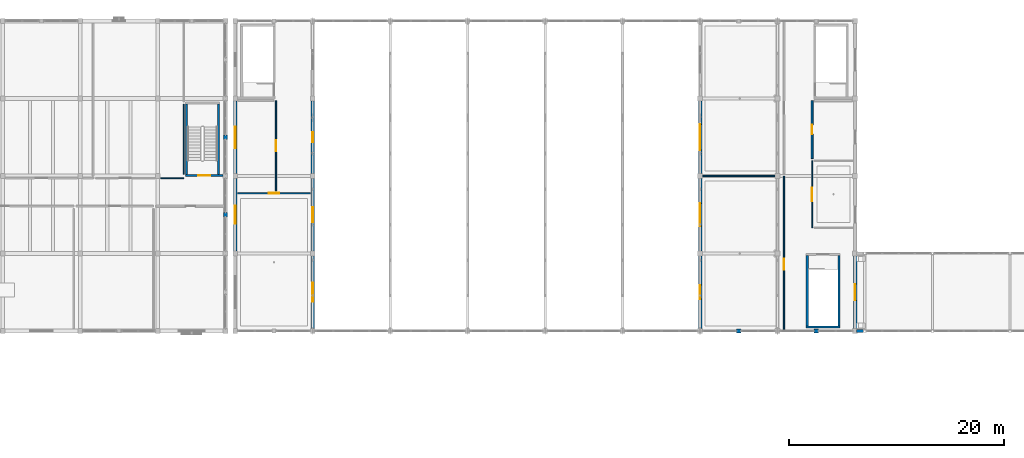
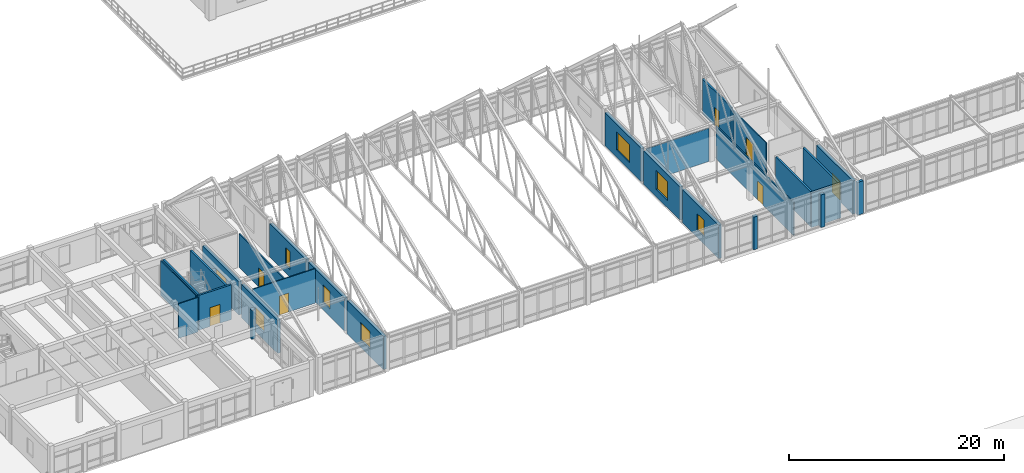
# One storey, part 111 of 136: 28 walls, 8 windows, 7 doors, 15 openings.
"""IFC4 building model written with IfcOpenShell, lengths in metres."""

import ifcopenshell
import ifcopenshell.guid

model = None  # the IFC model being written
_history = None  # IfcOwnerHistory: only IFC2X3 demands one
_inside = {}  # id of a spatial element -> (the spatial element, [elements in it])
_under = {}  # id of a project, library or spatial element -> (it, [spatial elements below it])
_declared = {}  # id of a project -> (the project, [libraries it declares])
_typed = {}  # id of a type object -> (the type object, [elements of that type])
_made_of = {}  # id of a material, layer set ... -> (it, [elements and type objects made of it])


def new_model(schema):
    """Start an empty IFC model of exactly this schema.

    Asked for "IFC4X3", IfcOpenShell would pick the latest addendum, in which some entities
    have other attributes; the version numbers below select the first issue.
    IFC2X3 requires an IfcOwnerHistory on every rooted entity: one is made here for all.
    """
    global model, _history
    if schema == "IFC4X3":
        model = ifcopenshell.file(schema_version=(4, 3, 0, 0))
    else:
        model = ifcopenshell.file(schema=schema)
    _inside.clear()
    _under.clear()
    _declared.clear()
    _typed.clear()
    _made_of.clear()
    _history = None
    if model.schema == "IFC2X3":
        org = make("IfcOrganization", Name="unknown")
        user = make(
            "IfcPersonAndOrganization",
            ThePerson=make("IfcPerson", FamilyName="unknown"),
            TheOrganization=org,
        )
        app = make(
            "IfcApplication",
            ApplicationDeveloper=org,
            Version="unknown",
            ApplicationFullName="unknown",
            ApplicationIdentifier="unknown",
        )
        _history = make(
            "IfcOwnerHistory",
            OwningUser=user,
            OwningApplication=app,
            ChangeAction="ADDED",
            CreationDate=0,
        )
    return model


def make(cls, **values):
    """One entity of the class cls with the attributes given. An attribute that is None is left unset."""
    return model.create_entity(
        cls, **{name: value for name, value in values.items() if value is not None}
    )


def rooted(cls, **values):
    """An entity with a GlobalId (a new one), such as an element, a storey or a relation."""
    return make(cls, GlobalId=ifcopenshell.guid.new(), OwnerHistory=_history, **values)


def si_unit(unit_type, name, prefix=None):
    """IfcSIUnit, for example si_unit("LENGTHUNIT", "METRE", prefix="MILLI")."""
    return make("IfcSIUnit", UnitType=unit_type, Prefix=prefix, Name=name)


def assignment(units):
    """IfcUnitAssignment: the units of a project."""
    return None if units is None else make("IfcUnitAssignment", Units=units)


def point(xyz):
    """IfcCartesianPoint."""
    return None if xyz is None else make("IfcCartesianPoint", Coordinates=xyz)


def direction(xyz):
    """IfcDirection."""
    return None if xyz is None else make("IfcDirection", DirectionRatios=xyz)


def frame(location, z_axis=None, x_axis=None):
    """IfcAxis2Placement3D, a coordinate frame: its origin and axes. An axis left out is left unset."""
    return make(
        "IfcAxis2Placement3D",
        Location=point(location),
        Axis=direction(z_axis),
        RefDirection=direction(x_axis),
    )


def frame_2d(location, x_axis=None):
    """IfcAxis2Placement2D, a coordinate frame in the plane: its origin and x axis."""
    return make(
        "IfcAxis2Placement2D", Location=point(location), RefDirection=direction(x_axis)
    )


def origin():
    """The frame at (0, 0, 0) with its axes left unset."""
    return frame((0.0, 0.0, 0.0))


def place(relative_to, where):
    """IfcLocalPlacement: puts the frame where relative to a parent placement (None: the world)."""
    return make(
        "IfcLocalPlacement", PlacementRelTo=relative_to, RelativePlacement=where
    )


def context(
    kind, dimensions, precision=None, world=None, true_north=None, identifier=None
):
    """IfcGeometricRepresentationContext, for example the 3D "Model" context."""
    return make(
        "IfcGeometricRepresentationContext",
        ContextIdentifier=identifier,
        ContextType=kind,
        CoordinateSpaceDimension=dimensions,
        Precision=precision,
        WorldCoordinateSystem=world,
        TrueNorth=true_north,
    )


def subcontext(parent, identifier, kind, view, scale=None):
    """IfcGeometricRepresentationSubContext, for example "Body" below "Model"."""
    return make(
        "IfcGeometricRepresentationSubContext",
        ContextIdentifier=identifier,
        ContextType=kind,
        ParentContext=parent,
        TargetScale=scale,
        TargetView=view,
    )


def project(units=None, contexts=None):
    """IfcProject with its units and contexts."""
    return rooted(
        "IfcProject",
        Name="project",
        RepresentationContexts=contexts,
        UnitsInContext=assignment(units),
    )


def spatial(cls, under=None, at=None, **own):
    """A site, building, storey or space (cls), placed at a placement, below another one or the project."""
    s = rooted(cls, ObjectPlacement=at, **own)
    if under is not None:
        _under.setdefault(under.id(), (under, []))[1].append(s)
    return s


def profile(cls, at=None, kind="AREA", **sizes):
    """A parametric profile (cls). Its sizes go by their IFC names, for example OverallWidth=200.0."""
    return make(cls, ProfileType=kind, Position=at, **sizes)


def rectangle(**sizes):
    """IfcRectangleProfileDef."""
    return profile("IfcRectangleProfileDef", **sizes)


def extrude(swept, where, along, depth):
    """IfcExtrudedAreaSolid: the profile swept, set in the frame where, extruded along a direction by depth."""
    return make(
        "IfcExtrudedAreaSolid",
        SweptArea=swept,
        Position=where,
        ExtrudedDirection=direction(along),
        Depth=depth,
    )


def shape(context_of_items, identifier, shape_type, items):
    """IfcShapeRepresentation: the items that make up one representation, for example the "Body"."""
    return make(
        "IfcShapeRepresentation",
        ContextOfItems=context_of_items,
        RepresentationIdentifier=identifier,
        RepresentationType=shape_type,
        Items=items,
    )


def material(Name=None, Category=None):
    """IfcMaterial."""
    return make("IfcMaterial", Name=Name, Category=Category)


def layer(
    of_material, thickness, ventilated=None, Name=None, Category=None, Priority=None
):
    """IfcMaterialLayer: one layer of a wall or slab, of a material (None: an air gap)."""
    return make(
        "IfcMaterialLayer",
        Material=of_material,
        LayerThickness=thickness,
        IsVentilated=ventilated,
        Name=Name,
        Category=Category,
        Priority=Priority,
    )


def layer_set(layers, Name=None):
    """IfcMaterialLayerSet."""
    return make("IfcMaterialLayerSet", MaterialLayers=layers, LayerSetName=Name)


def made_of(thing, what):
    """Note that an element or type object is made of a material, layer set ...; save() writes the relation."""
    if what is not None:
        _made_of.setdefault(what.id(), (what, []))[1].append(thing)
    return thing


def type_object(cls, material=None, **own):
    """A type object (cls), such as IfcWallType, which elements share."""
    return made_of(rooted(cls, **own), material)


def element(
    cls,
    number,
    at=None,
    inside=None,
    cuts=None,
    type_object=None,
    material=None,
    context=None,
    identifier="Body",
    shape_type=None,
    held_by="IfcProductDefinitionShape",
    body=None,
    shapes=None,
    **own,
):
    """One element of the class cls, such as IfcWall. Its Tag is "e" and its number.

    at: its placement. inside: the storey or other place that contains it. cuts: it is an
    opening in that element (IfcRelVoidsElement). A single representation is given by context,
    identifier, shape_type and body (its items); several are given by shapes. held_by: the class
    of the entity that holds the representations. save() writes the other relations.
    """
    e = rooted(cls, Tag="e%d" % number, ObjectPlacement=at, **own)
    if body is not None:
        shapes = [shape(context, identifier, shape_type, body)]
    if shapes is not None:
        e.Representation = make(held_by, Representations=shapes)
    if inside is not None:
        _inside.setdefault(inside.id(), (inside, []))[1].append(e)
    if cuts is not None:
        rooted(
            "IfcRelVoidsElement", RelatingBuildingElement=cuts, RelatedOpeningElement=e
        )
    if type_object is not None:
        _typed.setdefault(type_object.id(), (type_object, []))[1].append(e)
    return made_of(e, material)


def fill(opening, filler):
    """IfcRelFillsElement: the door or window that sits in an opening."""
    return rooted(
        "IfcRelFillsElement",
        RelatingOpeningElement=opening,
        RelatedBuildingElement=filler,
    )


def aggregate(whole, parts):
    """IfcRelAggregates: a whole, such as a stair, and the parts it consists of."""
    return rooted("IfcRelAggregates", RelatingObject=whole, RelatedObjects=parts)


def save(model, path):
    """Write the relations noted so far, then the file.

    IfcRelAggregates (storeys below a building ...), IfcRelContainedInSpatialStructure (elements
    in a storey), IfcRelDefinesByType, IfcRelAssociatesMaterial and IfcRelDeclares: one each for
    every whole, place, type object, material and project.
    """
    for whole, parts in _under.values():
        aggregate(whole, parts)
    for where, things in _inside.values():
        rooted(
            "IfcRelContainedInSpatialStructure",
            RelatedElements=things,
            RelatingStructure=where,
        )
    for kind, things in _typed.values():
        rooted("IfcRelDefinesByType", RelatedObjects=things, RelatingType=kind)
    for what, things in _made_of.values():
        rooted("IfcRelAssociatesMaterial", RelatedObjects=things, RelatingMaterial=what)
    for by, libraries in _declared.values():
        rooted("IfcRelDeclares", RelatingContext=by, RelatedDefinitions=libraries)
    model.write(path)


model = new_model("IFC4")

# Units and contexts
model_context = context("Model", 3, precision=1e-05, world=origin(), true_north=direction((0.0, 1.0)))
body_context = subcontext(model_context, "Body", "Model", "MODEL_VIEW")
ifc_project = project(units=[si_unit("LENGTHUNIT", "METRE"), si_unit("AREAUNIT", "SQUARE_METRE"), si_unit("VOLUMEUNIT", "CUBIC_METRE"), si_unit("PLANEANGLEUNIT", "RADIAN"), si_unit("MASSUNIT", "GRAM", prefix="KILO")], contexts=[model_context])

# Site, building, storey
site_placement = place(None, origin())
site = spatial("IfcSite", under=ifc_project, at=site_placement, CompositionType="ELEMENT")
building_placement = place(site_placement, origin())
building = spatial("IfcBuilding", under=site, at=building_placement, Name="Koriwan Promenade Central Fire Station", CompositionType="ELEMENT")
storey_placement = place(building_placement, frame((0.0, 0.0, 5.39990234375)))
storey = spatial("IfcBuildingStorey", under=building, at=storey_placement, Name="L01", CompositionType="ELEMENT", Elevation=5.39990234375)

# Walls
ifc_material_1 = material(Name="Natural sillar sandstone ashlar", Category="masonry")
ifc_layer_1 = layer(ifc_material_1, 0.360107421875, Name="Natural sillar sandstone ashlar")
ifc_layer_set_1 = layer_set([ifc_layer_1], Name="Natural sillar sandstone ashlar")
wall_type_1 = type_object("IfcWallType", Name="ExtWall_SillarBase_360", PredefinedType="SOLIDWALL", material=ifc_layer_set_1)
for number, where, z_axis, x_axis, name in (
    (1, (111.800048828125, 43.199951171875, 0.0), (0.0, 0.0, 1.0), (-1.0, 0.0, 0.0), "V1 L01 sillar facade mullion pier 45"),
    (2, (104.60009765625, 43.199951171875, 0.0), (0.0, 0.0, 1.0), (-1.0, 0.0, 0.0), "V1 L01 sillar facade mullion pier 46"),
):
    element("IfcWall", number, at=place(storey_placement, frame(where, z_axis=z_axis, x_axis=x_axis)), inside=storey, type_object=wall_type_1, Name=name, PredefinedType="SOLIDWALL", context=body_context, shape_type="SweptSolid", body=[
        extrude(rectangle(XDim=0.400146484375, YDim=0.360107421875, at=frame_2d((0.2001953125, 0.0))), origin(), (0.0, 0.0, 1.0), 3.72119140625),
    ])
wall_1_placement = place(storey_placement, frame((56.699951171875, 53.800048828125, 0.0), z_axis=(0.0, 0.0, 1.0), x_axis=(0.0, 1.0, 0.0)))
element("IfcWall", 3, at=wall_1_placement, inside=storey, type_object=wall_type_1, Name="V4 L01 sillar facade mullion pier 178", PredefinedType="SOLIDWALL", context=body_context, shape_type="SweptSolid", body=[
    extrude(rectangle(XDim=0.39990234375, YDim=0.360107421875, at=frame_2d((0.199951171875, 0.0))), origin(), (0.0, 0.0, 1.0), 3.2900390625),
])
wall_2_placement = place(storey_placement, frame((56.699951171875, 61.0, 0.0), z_axis=(0.0, 0.0, 1.0), x_axis=(0.0, 1.0, 0.0)))
element("IfcWall", 4, at=wall_2_placement, inside=storey, type_object=wall_type_1, Name="V4 L01 sillar facade mullion pier 179", PredefinedType="SOLIDWALL", context=body_context, shape_type="SweptSolid", body=[
    extrude(rectangle(XDim=0.39990234375, YDim=0.360107421875, at=frame_2d((0.199951171875, 0.0))), origin(), (0.0, 0.0, 1.0), 3.340087890625),
])
ifc_material_2 = material(Name="Precast concrete C40/50", Category="concrete")
ifc_layer_2 = layer(ifc_material_2, 0.280029296875, Name="Precast concrete C40/50")
ifc_layer_set_2 = layer_set([ifc_layer_2], Name="Precast concrete C40/50")
wall_type_2 = type_object("IfcWallType", Name="ExtWall_Terracotta_280", PredefinedType="ELEMENTEDWALL", material=ifc_layer_set_2)
wall_3_placement = place(storey_placement, frame((115.35009765625, 43.199951171875, 0.0), z_axis=(0.0, 0.0, 1.0), x_axis=(1.0, 0.0, 0.0)))
element("IfcWall", 5, at=wall_3_placement, inside=storey, type_object=wall_type_2, Name="Bridge seismic joint closure panel S-361", PredefinedType="ELEMENTEDWALL", context=body_context, shape_type="SweptSolid", body=[
    extrude(rectangle(XDim=0.625, YDim=0.280029296875, at=frame_2d((0.3125, 0.0))), origin(), (0.0, 0.0, 1.0), 3.72021484375),
])

# Wall, opening, window
ifc_layer_3 = layer(ifc_material_2, 0.320068359375, Name="Precast concrete C40/50")
ifc_layer_set_3 = layer_set([ifc_layer_3], Name="Precast concrete C40/50")
wall_type_3 = type_object("IfcWallType", Name="ExtWall_Terracotta_320", PredefinedType="ELEMENTEDWALL", material=ifc_layer_set_3)
wall_4_placement = place(storey_placement, frame((57.60009765625, 50.625, 0.0), z_axis=(0.0, 0.0, 1.0), x_axis=(0.0, 1.0, 0.0)))
wall_4 = element("IfcWall", 6, at=wall_4_placement, inside=storey, type_object=wall_type_3, Name="V1 L01 exterior wall 26", PredefinedType="ELEMENTEDWALL", context=body_context, shape_type="SweptSolid", body=[
    extrude(rectangle(XDim=6.75, YDim=0.320068359375, at=frame_2d((3.375, 0.0))), origin(), (0.0, 0.0, 1.0), 3.773193359375),
])
opening_1_placement = place(wall_4_placement, frame((2.550048828125, 0.0, 0.85009765625)))
opening_1 = element("IfcOpeningElement", 7, at=opening_1_placement, cuts=wall_4, Name="Opening W-15", PredefinedType="OPENING", context=body_context, shape_type="SweptSolid", body=[
    extrude(rectangle(XDim=1.64990234375, YDim=1.89990234375, at=frame_2d((0.824951171875, 0.949951171875))), frame((0.0, 0.171875, 0.0), z_axis=(0.0, -1.0, 0.0), x_axis=(1.0, 0.0, 0.0)), (0.0, 0.0, 1.0), 0.343994140625),
])
ifc_material_3 = material(Name="Solar-control low-E laminated double glazing", Category="glass")
window_type_1 = type_object("IfcWindowType", Name="Win_Office_1650x1900", PartitioningType="SINGLE_PANEL", PredefinedType="WINDOW", material=ifc_material_3)
window_1_placement = place(opening_1_placement, origin())
window_1 = element("IfcWindow", 8, at=window_1_placement, inside=storey, type_object=window_type_1, Name="V1 L01 window 0008", OverallHeight=1.89990234375, OverallWidth=1.64990234375, PartitioningType="SINGLE_PANEL", PredefinedType="WINDOW", context=body_context, shape_type="SweptSolid", body=[
    extrude(rectangle(XDim=1.64990234375, YDim=1.89990234375, at=frame_2d((0.824951171875, 0.949951171875))), frame((0.0, 0.030029296875, 0.0), z_axis=(0.0, -1.0, 0.0), x_axis=(1.0, 0.0, 0.0)), (0.0, 0.0, 1.0), 0.06005859375),
])
fill(opening_1, window_1)

wall_5_placement = place(storey_placement, frame((57.60009765625, 57.824951171875, 0.0), z_axis=(0.0, 0.0, 1.0), x_axis=(0.0, 1.0, 0.0)))
wall_5 = element("IfcWall", 9, at=wall_5_placement, inside=storey, type_object=wall_type_3, Name="V1 L01 exterior wall 27", PredefinedType="ELEMENTEDWALL", context=body_context, shape_type="SweptSolid", body=[
    extrude(rectangle(XDim=6.75, YDim=0.320068359375, at=frame_2d((3.375, 0.0))), origin(), (0.0, 0.0, 1.0), 3.773193359375),
])
opening_2_placement = place(wall_5_placement, frame((2.375, 0.0, 0.85009765625)))
opening_2 = element("IfcOpeningElement", 10, at=opening_2_placement, cuts=wall_5, Name="Opening W-16", PredefinedType="OPENING", context=body_context, shape_type="SweptSolid", body=[
    extrude(rectangle(XDim=2.0, YDim=1.85009765625, at=frame_2d((1.0, 0.925048828125))), frame((0.0, 0.171875, 0.0), z_axis=(0.0, -1.0, 0.0), x_axis=(1.0, 0.0, 0.0)), (0.0, 0.0, 1.0), 0.343994140625),
])
window_type_2 = type_object("IfcWindowType", Name="Win_Studio_2000x1850", PartitioningType="SINGLE_PANEL", PredefinedType="WINDOW", material=ifc_material_3)
window_2_placement = place(opening_2_placement, origin())
window_2 = element("IfcWindow", 11, at=window_2_placement, inside=storey, type_object=window_type_2, Name="V1 L01 window 0009", OverallHeight=1.85009765625, OverallWidth=2.0, PartitioningType="SINGLE_PANEL", PredefinedType="WINDOW", context=body_context, shape_type="SweptSolid", body=[
    extrude(rectangle(XDim=2.0, YDim=1.85009765625, at=frame_2d((1.0, 0.925048828125))), frame((0.0, 0.030029296875, 0.0), z_axis=(0.0, -1.0, 0.0), x_axis=(1.0, 0.0, 0.0)), (0.0, 0.0, 1.0), 0.06005859375),
])
fill(opening_2, window_2)

wall_6_placement = place(storey_placement, frame((64.800048828125, 64.574951171875, 0.0), z_axis=(0.0, 0.0, 1.0), x_axis=(0.0, -1.0, 0.0)))
wall_6 = element("IfcWall", 12, at=wall_6_placement, inside=storey, type_object=wall_type_3, Name="V1 L01 exterior wall 31", PredefinedType="ELEMENTEDWALL", context=body_context, shape_type="SweptSolid", body=[
    extrude(rectangle(XDim=6.75, YDim=0.320068359375, at=frame_2d((3.375, 0.0))), origin(), (0.0, 0.0, 1.0), 3.773193359375),
])
opening_3_placement = place(wall_6_placement, frame((2.925048828125, 0.0, 0.85009765625)))
opening_3 = element("IfcOpeningElement", 13, at=opening_3_placement, cuts=wall_6, Name="Opening W-04", PredefinedType="OPENING", context=body_context, shape_type="SweptSolid", body=[
    extrude(rectangle(XDim=0.89990234375, YDim=2.0, at=frame_2d((0.449951171875, 1.0))), frame((0.0, 0.171875, 0.0), z_axis=(0.0, -1.0, 0.0), x_axis=(1.0, 0.0, 0.0)), (0.0, 0.0, 1.0), 0.343994140625),
])
window_type_3 = type_object("IfcWindowType", Name="Win_HQ_900x2000", PartitioningType="SINGLE_PANEL", PredefinedType="WINDOW", material=ifc_material_3)
window_3_placement = place(opening_3_placement, origin())
window_3 = element("IfcWindow", 14, at=window_3_placement, inside=storey, type_object=window_type_3, Name="V1 L01 window 0012", OverallHeight=2.0, OverallWidth=0.89990234375, PartitioningType="SINGLE_PANEL", PredefinedType="WINDOW", context=body_context, shape_type="SweptSolid", body=[
    extrude(rectangle(XDim=0.89990234375, YDim=2.0, at=frame_2d((0.449951171875, 1.0))), frame((0.0, 0.030029296875, 0.0), z_axis=(0.0, -1.0, 0.0), x_axis=(1.0, 0.0, 0.0)), (0.0, 0.0, 1.0), 0.06005859375),
])
fill(opening_3, window_3)

wall_7_placement = place(storey_placement, frame((64.800048828125, 57.375, 0.0), z_axis=(0.0, 0.0, 1.0), x_axis=(0.0, -1.0, 0.0)))
wall_7 = element("IfcWall", 15, at=wall_7_placement, inside=storey, type_object=wall_type_3, Name="V1 L01 exterior wall 32", PredefinedType="ELEMENTEDWALL", context=body_context, shape_type="SweptSolid", body=[
    extrude(rectangle(XDim=6.75, YDim=0.320068359375, at=frame_2d((3.375, 0.0))), origin(), (0.0, 0.0, 1.0), 3.773193359375),
])
opening_4_placement = place(wall_7_placement, frame((2.699951171875, 0.0, 0.85009765625)))
opening_4 = element("IfcOpeningElement", 16, at=opening_4_placement, cuts=wall_7, Name="Opening W-05", PredefinedType="OPENING", context=body_context, shape_type="SweptSolid", body=[
    extrude(rectangle(XDim=1.35009765625, YDim=2.0, at=frame_2d((0.675048828125, 1.0))), frame((0.0, 0.171875, 0.0), z_axis=(0.0, -1.0, 0.0), x_axis=(1.0, 0.0, 0.0)), (0.0, 0.0, 1.0), 0.343994140625),
])
window_type_4 = type_object("IfcWindowType", Name="Win_HQ_1350x2000", PartitioningType="SINGLE_PANEL", PredefinedType="WINDOW", material=ifc_material_3)
window_4_placement = place(opening_4_placement, origin())
window_4 = element("IfcWindow", 17, at=window_4_placement, inside=storey, type_object=window_type_4, Name="V1 L01 window 0013", OverallHeight=2.0, OverallWidth=1.35009765625, PartitioningType="SINGLE_PANEL", PredefinedType="WINDOW", context=body_context, shape_type="SweptSolid", body=[
    extrude(rectangle(XDim=1.35009765625, YDim=2.0, at=frame_2d((0.675048828125, 1.0))), frame((0.0, 0.030029296875, 0.0), z_axis=(0.0, -1.0, 0.0), x_axis=(1.0, 0.0, 0.0)), (0.0, 0.0, 1.0), 0.06005859375),
])
fill(opening_4, window_4)

wall_8_placement = place(storey_placement, frame((64.800048828125, 50.175048828125, 0.0), z_axis=(0.0, 0.0, 1.0), x_axis=(0.0, -1.0, 0.0)))
wall_8 = element("IfcWall", 18, at=wall_8_placement, inside=storey, type_object=wall_type_3, Name="V1 L01 exterior wall 33", PredefinedType="ELEMENTEDWALL", context=body_context, shape_type="SweptSolid", body=[
    extrude(rectangle(XDim=6.75, YDim=0.320068359375, at=frame_2d((3.375, 0.0))), origin(), (0.0, 0.0, 1.0), 3.773193359375),
])
opening_5_placement = place(wall_8_placement, frame((2.47509765625, 0.0, 0.85009765625)))
opening_5 = element("IfcOpeningElement", 19, at=opening_5_placement, cuts=wall_8, Name="Opening W-06", PredefinedType="OPENING", context=body_context, shape_type="SweptSolid", body=[
    extrude(rectangle(XDim=1.800048828125, YDim=1.949951171875, at=frame_2d((0.89990234375, 0.97509765625))), frame((0.0, 0.171875, 0.0), z_axis=(0.0, -1.0, 0.0), x_axis=(1.0, 0.0, 0.0)), (0.0, 0.0, 1.0), 0.343994140625),
])
window_type_5 = type_object("IfcWindowType", Name="Win_HQ_1800x1950", PartitioningType="SINGLE_PANEL", PredefinedType="WINDOW", material=ifc_material_3)
window_5_placement = place(opening_5_placement, origin())
window_5 = element("IfcWindow", 20, at=window_5_placement, inside=storey, type_object=window_type_5, Name="V1 L01 window 0014", OverallHeight=1.949951171875, OverallWidth=1.800048828125, PartitioningType="SINGLE_PANEL", PredefinedType="WINDOW", context=body_context, shape_type="SweptSolid", body=[
    extrude(rectangle(XDim=1.800048828125, YDim=1.949951171875, at=frame_2d((0.89990234375, 0.97509765625))), frame((0.0, 0.030029296875, 0.0), z_axis=(0.0, -1.0, 0.0), x_axis=(1.0, 0.0, 0.0)), (0.0, 0.0, 1.0), 0.06005859375),
])
fill(opening_5, window_5)

wall_9_placement = place(storey_placement, frame((100.800048828125, 43.425048828125, 0.0), z_axis=(0.0, 0.0, 1.0), x_axis=(0.0, 1.0, 0.0)))
wall_9 = element("IfcWall", 21, at=wall_9_placement, inside=storey, type_object=wall_type_3, Name="V1 L01 exterior wall 35", PredefinedType="ELEMENTEDWALL", context=body_context, shape_type="SweptSolid", body=[
    extrude(rectangle(XDim=6.75, YDim=0.320068359375, at=frame_2d((3.375, 0.0))), origin(), (0.0, 0.0, 1.0), 3.773193359375),
])
opening_6_placement = place(wall_9_placement, frame((2.72509765625, 0.0, 0.85009765625)))
opening_6 = element("IfcOpeningElement", 22, at=opening_6_placement, cuts=wall_9, Name="Opening W-10", PredefinedType="OPENING", context=body_context, shape_type="SweptSolid", body=[
    extrude(rectangle(XDim=1.300048828125, YDim=1.85009765625, at=frame_2d((0.64990234375, 0.925048828125))), frame((0.0, 0.171875, 0.0), z_axis=(0.0, -1.0, 0.0), x_axis=(1.0, 0.0, 0.0)), (0.0, 0.0, 1.0), 0.343994140625),
])
window_type_6 = type_object("IfcWindowType", Name="Win_Drill_1300x1850", PartitioningType="SINGLE_PANEL", PredefinedType="WINDOW", material=ifc_material_3)
window_6_placement = place(opening_6_placement, origin())
window_6 = element("IfcWindow", 23, at=window_6_placement, inside=storey, type_object=window_type_6, Name="V1 L01 window 0015", OverallHeight=1.85009765625, OverallWidth=1.300048828125, PartitioningType="SINGLE_PANEL", PredefinedType="WINDOW", context=body_context, shape_type="SweptSolid", body=[
    extrude(rectangle(XDim=1.300048828125, YDim=1.85009765625, at=frame_2d((0.64990234375, 0.925048828125))), frame((0.0, 0.030029296875, 0.0), z_axis=(0.0, -1.0, 0.0), x_axis=(1.0, 0.0, 0.0)), (0.0, 0.0, 1.0), 0.06005859375),
])
fill(opening_6, window_6)

wall_10_placement = place(storey_placement, frame((100.800048828125, 50.625, 0.0), z_axis=(0.0, 0.0, 1.0), x_axis=(0.0, 1.0, 0.0)))
wall_10 = element("IfcWall", 24, at=wall_10_placement, inside=storey, type_object=wall_type_3, Name="V1 L01 exterior wall 36", PredefinedType="ELEMENTEDWALL", context=body_context, shape_type="SweptSolid", body=[
    extrude(rectangle(XDim=6.75, YDim=0.320068359375, at=frame_2d((3.375, 0.0))), origin(), (0.0, 0.0, 1.0), 3.773193359375),
])
opening_7_placement = place(wall_10_placement, frame((2.324951171875, 0.0, 0.85009765625)))
opening_7 = element("IfcOpeningElement", 25, at=opening_7_placement, cuts=wall_10, Name="Opening W-11", PredefinedType="OPENING", context=body_context, shape_type="SweptSolid", body=[
    extrude(rectangle(XDim=2.10009765625, YDim=2.14990234375, at=frame_2d((1.050048828125, 1.074951171875))), frame((0.0, 0.171875, 0.0), z_axis=(0.0, -1.0, 0.0), x_axis=(1.0, 0.0, 0.0)), (0.0, 0.0, 1.0), 0.343994140625),
])
window_type_7 = type_object("IfcWindowType", Name="Win_Pavilion_2100x2150", PartitioningType="SINGLE_PANEL", PredefinedType="WINDOW", material=ifc_material_3)
window_7_placement = place(opening_7_placement, origin())
window_7 = element("IfcWindow", 26, at=window_7_placement, inside=storey, type_object=window_type_7, Name="V1 L01 window 0016", OverallHeight=2.14990234375, OverallWidth=2.10009765625, PartitioningType="SINGLE_PANEL", PredefinedType="WINDOW", context=body_context, shape_type="SweptSolid", body=[
    extrude(rectangle(XDim=2.10009765625, YDim=2.14990234375, at=frame_2d((1.050048828125, 1.074951171875))), frame((0.0, 0.030029296875, 0.0), z_axis=(0.0, -1.0, 0.0), x_axis=(1.0, 0.0, 0.0)), (0.0, 0.0, 1.0), 0.06005859375),
])
fill(opening_7, window_7)

wall_11_placement = place(storey_placement, frame((100.800048828125, 57.824951171875, 0.0), z_axis=(0.0, 0.0, 1.0), x_axis=(0.0, 1.0, 0.0)))
wall_11 = element("IfcWall", 27, at=wall_11_placement, inside=storey, type_object=wall_type_3, Name="V1 L01 exterior wall 37", PredefinedType="ELEMENTEDWALL", context=body_context, shape_type="SweptSolid", body=[
    extrude(rectangle(XDim=6.75, YDim=0.320068359375, at=frame_2d((3.375, 0.0))), origin(), (0.0, 0.0, 1.0), 3.773193359375),
])
opening_8_placement = place(wall_11_placement, frame((2.175048828125, 0.0, 0.85009765625)))
opening_8 = element("IfcOpeningElement", 28, at=opening_8_placement, cuts=wall_11, Name="Opening W-12", PredefinedType="OPENING", context=body_context, shape_type="SweptSolid", body=[
    extrude(rectangle(XDim=2.39990234375, YDim=2.050048828125, at=frame_2d((1.199951171875, 1.02490234375))), frame((0.0, 0.171875, 0.0), z_axis=(0.0, -1.0, 0.0), x_axis=(1.0, 0.0, 0.0)), (0.0, 0.0, 1.0), 0.343994140625),
])
window_type_8 = type_object("IfcWindowType", Name="Win_Pavilion_2400x2050", PartitioningType="SINGLE_PANEL", PredefinedType="WINDOW", material=ifc_material_3)
window_8_placement = place(opening_8_placement, origin())
window_8 = element("IfcWindow", 29, at=window_8_placement, inside=storey, type_object=window_type_8, Name="V1 L01 window 0017", OverallHeight=2.050048828125, OverallWidth=2.39990234375, PartitioningType="SINGLE_PANEL", PredefinedType="WINDOW", context=body_context, shape_type="SweptSolid", body=[
    extrude(rectangle(XDim=2.39990234375, YDim=2.050048828125, at=frame_2d((1.199951171875, 1.02490234375))), frame((0.0, 0.030029296875, 0.0), z_axis=(0.0, -1.0, 0.0), x_axis=(1.0, 0.0, 0.0)), (0.0, 0.0, 1.0), 0.06005859375),
])
fill(opening_8, window_8)

# Wall, opening, door
wall_12_placement = place(storey_placement, frame((115.199951171875, 50.175048828125, 0.0), z_axis=(0.0, 0.0, 1.0), x_axis=(0.0, -1.0, 0.0)))
wall_12 = element("IfcWall", 30, at=wall_12_placement, inside=storey, type_object=wall_type_3, Name="V1 L01 exterior wall 44", PredefinedType="ELEMENTEDWALL", context=body_context, shape_type="SweptSolid", body=[
    extrude(rectangle(XDim=6.75, YDim=0.320068359375, at=frame_2d((3.375, 0.0))), origin(), (0.0, 0.0, 1.0), 3.773193359375),
])
opening_9_placement = place(wall_12_placement, frame((2.625, 0.0, 0.0)))
opening_9 = element("IfcOpeningElement", 31, at=opening_9_placement, cuts=wall_12, Name="Opening BD-015", PredefinedType="OPENING", context=body_context, shape_type="SweptSolid", body=[
    extrude(rectangle(XDim=1.5, YDim=2.199951171875, at=frame_2d((0.75, 1.10009765625))), frame((0.0, 0.171875, 0.0), z_axis=(0.0, -1.0, 0.0), x_axis=(1.0, 0.0, 0.0)), (0.0, 0.0, 1.0), 0.343994140625),
])
ifc_material_4 = material(Name="Aluminium EN AW-6063-T6 and laminated safety glass", Category="aluminium")
door_type_1 = type_object("IfcDoorType", Name="TerraceDoor_1500x2200", OperationType="DOUBLE_SWING_LEFT", PredefinedType="DOOR", material=ifc_material_4)
door_1_placement = place(opening_9_placement, origin())
door_1 = element("IfcDoor", 32, at=door_1_placement, inside=storey, type_object=door_type_1, Name="V1 L01 Link Bridge Level-Threshold Door BD-015", OperationType="DOUBLE_SWING_LEFT", OverallHeight=2.199951171875, OverallWidth=1.5, PredefinedType="DOOR", context=body_context, shape_type="SweptSolid", body=[
    extrude(rectangle(XDim=1.5, YDim=2.199951171875, at=frame_2d((0.75, 1.10009765625))), frame((0.0, 0.02490234375, 0.0), z_axis=(0.0, -1.0, 0.0), x_axis=(1.0, 0.0, 0.0)), (0.0, 0.0, 1.0), 0.050048828125),
])
fill(opening_9, door_1)

ifc_material_5 = material(Name="Gypsum board acoustic stud partition", Category="gypsum")
ifc_layer_4 = layer(ifc_material_5, 0.10009765625, Name="Gypsum board acoustic stud partition")
ifc_layer_set_4 = layer_set([ifc_layer_4], Name="Gypsum board acoustic stud partition")
wall_type_4 = type_object("IfcWallType", Name="IntWall_Drywall_100", PredefinedType="PARTITIONING", material=ifc_layer_set_4)
wall_13_placement = place(storey_placement, frame((57.820068359375, 56.0, 0.0), z_axis=(0.0, 0.0, 1.0), x_axis=(1.0, 0.0, 0.0)))
wall_13 = element("IfcWall", 33, at=wall_13_placement, inside=storey, type_object=wall_type_4, Name="Appliance Watch Overlook Room partition N", PredefinedType="PARTITIONING", context=body_context, shape_type="SweptSolid", body=[
    extrude(rectangle(XDim=6.760009765625, YDim=0.10009765625, at=frame_2d((3.3798828125, 0.0))), origin(), (0.0, 0.0, 1.0), 3.920166015625),
])
opening_10_placement = place(wall_13_placement, frame((2.8798828125, 0.0, 0.0)))
opening_10 = element("IfcOpeningElement", 34, at=opening_10_placement, cuts=wall_13, Name="Opening D-079", PredefinedType="OPENING", context=body_context, shape_type="SweptSolid", body=[
    extrude(rectangle(XDim=1.0, YDim=2.14990234375, at=frame_2d((0.5, 1.074951171875))), frame((0.0, 0.06201171875, 0.0), z_axis=(0.0, -1.0, 0.0), x_axis=(1.0, 0.0, 0.0)), (0.0, 0.0, 1.0), 0.1240234375),
])
ifc_material_6 = material(Name="Hardwood veneer solid-core timber", Category="wood")
door_type_2 = type_object("IfcDoorType", Name="RoomDoor_Office_1000x2150", OperationType="NOTDEFINED", PredefinedType="DOOR", material=ifc_material_6)
door_2_placement = place(opening_10_placement, origin())
door_2 = element("IfcDoor", 35, at=door_2_placement, inside=storey, type_object=door_type_2, Name="Appliance Watch Overlook Room Door D-079", OperationType="SINGLE_SWING_LEFT", OverallHeight=2.14990234375, OverallWidth=1.0, PredefinedType="DOOR", context=body_context, shape_type="SweptSolid", body=[
    extrude(rectangle(XDim=1.0, YDim=2.14990234375, at=frame_2d((0.5, 1.074951171875))), frame((0.0, 0.02490234375, 0.0), z_axis=(0.0, -1.0, 0.0), x_axis=(1.0, 0.0, 0.0)), (0.0, 0.0, 1.0), 0.050048828125),
])
fill(opening_10, door_2)

wall_14_placement = place(storey_placement, frame((111.199951171875, 52.800048828125, 0.0), z_axis=(0.0, 0.0, 1.0), x_axis=(0.0, 1.0, 0.0)))
wall_14 = element("IfcWall", 36, at=wall_14_placement, inside=storey, type_object=wall_type_4, Name="Pump Hydraulics Training Laboratory partition W", PredefinedType="PARTITIONING", context=body_context, shape_type="SweptSolid", body=[
    extrude(rectangle(XDim=6.199951171875, YDim=0.10009765625, at=frame_2d((3.10009765625, 0.0))), origin(), (0.0, 0.0, 1.0), 3.773193359375),
])
opening_11_placement = place(wall_14_placement, frame((2.47509765625, 0.0, 0.0)))
opening_11 = element("IfcOpeningElement", 37, at=opening_11_placement, cuts=wall_14, Name="Opening D-083", PredefinedType="OPENING", context=body_context, shape_type="SweptSolid", body=[
    extrude(rectangle(XDim=1.25, YDim=2.14990234375, at=frame_2d((0.625, 1.074951171875))), frame((0.0, 0.06201171875, 0.0), z_axis=(0.0, -1.0, 0.0), x_axis=(1.0, 0.0, 0.0)), (0.0, 0.0, 1.0), 0.1240234375),
])
door_type_3 = type_object("IfcDoorType", Name="RoomDoor_Lab_1250x2150", OperationType="NOTDEFINED", PredefinedType="DOOR", material=ifc_material_6)
door_3_placement = place(opening_11_placement, origin())
door_3 = element("IfcDoor", 38, at=door_3_placement, inside=storey, type_object=door_type_3, Name="Pump Hydraulics Training Laboratory Door D-083", OperationType="SINGLE_SWING_LEFT", OverallHeight=2.14990234375, OverallWidth=1.25, PredefinedType="DOOR", context=body_context, shape_type="SweptSolid", body=[
    extrude(rectangle(XDim=1.25, YDim=2.14990234375, at=frame_2d((0.625, 1.074951171875))), frame((0.0, 0.02490234375, 0.0), z_axis=(0.0, -1.0, 0.0), x_axis=(1.0, 0.0, 0.0)), (0.0, 0.0, 1.0), 0.050048828125),
])
fill(opening_11, door_3)

# Walls
wall_15_placement = place(storey_placement, frame((50.6650390625, 57.39990234375, 0.0), z_axis=(0.0, 0.0, 1.0), x_axis=(1.0, 0.0, 0.0)))
element("IfcWall", 39, at=wall_15_placement, inside=storey, type_object=wall_type_4, Name="Crew Fitness Gym and Conditioning Studio partition S", PredefinedType="PARTITIONING", context=body_context, shape_type="SweptSolid", body=[
    extrude(rectangle(XDim=2.135009765625, YDim=0.10009765625, at=frame_2d((1.0673828125, 0.0))), origin(), (0.0, 0.0, 1.0), 3.920166015625),
])
wall_16_placement = place(storey_placement, frame((52.800048828125, 57.776123046875, 0.0), z_axis=(0.0, 0.0, 1.0), x_axis=(0.0, 1.0, 0.0)))
element("IfcWall", 40, at=wall_16_placement, inside=storey, type_object=wall_type_4, Name="Crew Fitness Gym and Conditioning Studio partition E", PredefinedType="PARTITIONING", context=body_context, shape_type="SweptSolid", body=[
    extrude(rectangle(XDim=6.48779296875, YDim=0.10009765625, at=frame_2d((3.243896484375, 0.0))), origin(), (0.0, 0.0, 1.0), 3.920166015625),
])

# Wall, opening, door
ifc_layer_5 = layer(ifc_material_5, 0.1201171875, Name="Gypsum board acoustic stud partition")
ifc_layer_set_5 = layer_set([ifc_layer_5], Name="Gypsum board acoustic stud partition")
wall_type_5 = type_object("IfcWallType", Name="IntWall_Drywall_120", PredefinedType="PARTITIONING", material=ifc_layer_set_5)
wall_17_placement = place(storey_placement, frame((61.39990234375, 56.219970703125, 0.0), z_axis=(0.0, 0.0, 1.0), x_axis=(0.0, 1.0, 0.0)))
wall_17 = element("IfcWall", 41, at=wall_17_placement, inside=storey, type_object=wall_type_5, Name="Hose Inspection and Testing Room partition E", PredefinedType="PARTITIONING", context=body_context, shape_type="SweptSolid", body=[
    extrude(rectangle(XDim=8.380126953125, YDim=0.1201171875, at=frame_2d((4.18994140625, 0.0))), origin(), (0.0, 0.0, 1.0), 3.773193359375),
])
opening_12_placement = place(wall_17_placement, frame((3.68994140625, 0.0, 0.0)))
opening_12 = element("IfcOpeningElement", 42, at=opening_12_placement, cuts=wall_17, Name="Opening D-080", PredefinedType="OPENING", context=body_context, shape_type="SweptSolid", body=[
    extrude(rectangle(XDim=1.0, YDim=2.14990234375, at=frame_2d((0.5, 1.074951171875))), frame((0.0, 0.072021484375, 0.0), z_axis=(0.0, -1.0, 0.0), x_axis=(1.0, 0.0, 0.0)), (0.0, 0.0, 1.0), 0.14404296875),
])
door_4_placement = place(opening_12_placement, origin())
door_4 = element("IfcDoor", 43, at=door_4_placement, inside=storey, type_object=door_type_2, Name="Hose Inspection and Testing Room Door D-080", OperationType="SINGLE_SWING_RIGHT", OverallHeight=2.14990234375, OverallWidth=1.0, PredefinedType="DOOR", context=body_context, shape_type="SweptSolid", body=[
    extrude(rectangle(XDim=1.0, YDim=2.14990234375, at=frame_2d((0.5, 1.074951171875))), frame((0.0, 0.02490234375, 0.0), z_axis=(0.0, -1.0, 0.0), x_axis=(1.0, 0.0, 0.0)), (0.0, 0.0, 1.0), 0.050048828125),
])
fill(opening_12, door_4)

wall_18_placement = place(storey_placement, frame((108.60009765625, 43.199951171875, 0.0), z_axis=(0.0, 0.0, 1.0), x_axis=(0.0, 1.0, 0.0)))
wall_18 = element("IfcWall", 44, at=wall_18_placement, inside=storey, type_object=wall_type_5, Name="Command Incident Simulator Studio partition E", PredefinedType="PARTITIONING", context=body_context, shape_type="SweptSolid", body=[
    extrude(rectangle(XDim=14.400146484375, YDim=0.1201171875, at=frame_2d((7.2001953125, 0.0))), origin(), (0.0, 0.0, 1.0), 3.718994140625),
])
opening_13_placement = place(wall_18_placement, frame((5.675048828125, 0.0, 0.0)))
opening_13 = element("IfcOpeningElement", 45, at=opening_13_placement, cuts=wall_18, Name="Opening D-081", PredefinedType="OPENING", context=body_context, shape_type="SweptSolid", body=[
    extrude(rectangle(XDim=1.050048828125, YDim=2.14990234375, at=frame_2d((0.52490234375, 1.074951171875))), frame((0.0, 0.072021484375, 0.0), z_axis=(0.0, -1.0, 0.0), x_axis=(1.0, 0.0, 0.0)), (0.0, 0.0, 1.0), 0.14404296875),
])
door_type_4 = type_object("IfcDoorType", Name="RoomDoor_Class_1050x2150", OperationType="NOTDEFINED", PredefinedType="DOOR", material=ifc_material_6)
door_5_placement = place(opening_13_placement, origin())
door_5 = element("IfcDoor", 46, at=door_5_placement, inside=storey, type_object=door_type_4, Name="Command Incident Simulator Studio Door D-081", OperationType="SINGLE_SWING_LEFT", OverallHeight=2.14990234375, OverallWidth=1.050048828125, PredefinedType="DOOR", context=body_context, shape_type="SweptSolid", body=[
    extrude(rectangle(XDim=1.050048828125, YDim=2.14990234375, at=frame_2d((0.52490234375, 1.074951171875))), frame((0.0, 0.02490234375, 0.0), z_axis=(0.0, -1.0, 0.0), x_axis=(1.0, 0.0, 0.0)), (0.0, 0.0, 1.0), 0.050048828125),
])
fill(opening_13, door_5)

# Wall
wall_19_placement = place(storey_placement, frame((101.06494140625, 57.60009765625, 0.0), z_axis=(0.0, 0.0, 1.0), x_axis=(1.0, 0.0, 0.0)))
element("IfcWall", 47, at=wall_19_placement, inside=storey, type_object=wall_type_5, Name="Command Incident Simulator Studio partition N", PredefinedType="PARTITIONING", context=body_context, shape_type="SweptSolid", body=[
    extrude(rectangle(XDim=6.670166015625, YDim=0.1201171875, at=frame_2d((3.3349609375, 0.0))), origin(), (0.0, 0.0, 1.0), 3.773193359375),
])

# Wall, opening, door
ifc_material_7 = material(Name="Moisture-resistant sanitary chase wall", Category="gypsum")
ifc_layer_6 = layer(ifc_material_7, 0.179931640625, Name="Moisture-resistant sanitary chase wall")
ifc_layer_set_6 = layer_set([ifc_layer_6], Name="Moisture-resistant sanitary chase wall")
wall_type_6 = type_object("IfcWallType", Name="IntWall_Plumbing_180", PredefinedType="PLUMBINGWALL", material=ifc_layer_set_6)
wall_20_placement = place(storey_placement, frame((111.199951171875, 59.219970703125, 0.0), z_axis=(0.0, 0.0, 1.0), x_axis=(0.0, 1.0, 0.0)))
wall_20 = element("IfcWall", 48, at=wall_20_placement, inside=storey, type_object=wall_type_6, Name="Transfer Deck Accessible WC partition W", PredefinedType="PLUMBINGWALL", context=body_context, shape_type="SweptSolid", body=[
    extrude(rectangle(XDim=5.380126953125, YDim=0.179931640625, at=frame_2d((2.68994140625, 0.0))), origin(), (0.0, 0.0, 1.0), 3.920166015625),
])
opening_14_placement = place(wall_20_placement, frame((2.239990234375, 0.0, 0.0)))
opening_14 = element("IfcOpeningElement", 49, at=opening_14_placement, cuts=wall_20, Name="Opening D-084", PredefinedType="OPENING", context=body_context, shape_type="SweptSolid", body=[
    extrude(rectangle(XDim=0.89990234375, YDim=2.10009765625, at=frame_2d((0.449951171875, 1.050048828125))), frame((0.0, 0.10205078125, 0.0), z_axis=(0.0, -1.0, 0.0), x_axis=(1.0, 0.0, 0.0)), (0.0, 0.0, 1.0), 0.203857421875),
])
ifc_material_8 = material(Name="High-pressure laminate moisture-resistant core", Category="wood")
door_type_5 = type_object("IfcDoorType", Name="RoomDoor_WC_900x2100", OperationType="NOTDEFINED", PredefinedType="DOOR", material=ifc_material_8)
door_6_placement = place(opening_14_placement, origin())
door_6 = element("IfcDoor", 50, at=door_6_placement, inside=storey, type_object=door_type_5, Name="Transfer Deck Accessible WC Door D-084", OperationType="SINGLE_SWING_RIGHT", OverallHeight=2.10009765625, OverallWidth=0.89990234375, PredefinedType="DOOR", context=body_context, shape_type="SweptSolid", body=[
    extrude(rectangle(XDim=0.89990234375, YDim=2.10009765625, at=frame_2d((0.449951171875, 1.050048828125))), frame((0.0, 0.02490234375, 0.0), z_axis=(0.0, -1.0, 0.0), x_axis=(1.0, 0.0, 0.0)), (0.0, 0.0, 1.0), 0.050048828125),
])
fill(opening_14, door_6)

# Walls
ifc_material_9 = material(Name="Concrete C40/50", Category="concrete")
ifc_layer_7 = layer(ifc_material_9, 0.199951171875, Name="Concrete C40/50")
ifc_layer_set_7 = layer_set([ifc_layer_7], Name="Concrete C40/50")
wall_type_7 = type_object("IfcWallType", Name="ShearWall_200", PredefinedType="SHEAR", material=ifc_layer_set_7)
wall_21_placement = place(storey_placement, frame((110.64990234375, 43.580078125, 0.0), z_axis=(0.0, 0.0, 1.0), x_axis=(1.0, 0.0, 0.0)))
element("IfcWall", 51, at=wall_21_placement, inside=storey, type_object=wall_type_7, Name="ST03 L01 structural stair wall S", PredefinedType="SHEAR", context=body_context, shape_type="SweptSolid", body=[
    extrude(rectangle(XDim=3.150146484375, YDim=0.199951171875, at=frame_2d((1.5751953125, 0.0))), origin(), (0.0, 0.0, 1.0), 3.9501953125),
])
for number, where, z_axis, x_axis, name in (
    (52, (110.75, 43.679931640625, 0.0), (0.0, 0.0, 1.0), (0.0, 1.0, 0.0), "ST03 L01 structural stair wall W"),
    (53, (113.699951171875, 43.679931640625, 0.0), (0.0, 0.0, 1.0), (0.0, 1.0, 0.0), "ST03 L01 structural stair wall E"),
):
    element("IfcWall", number, at=place(storey_placement, frame(where, z_axis=z_axis, x_axis=x_axis)), inside=storey, type_object=wall_type_7, Name=name, PredefinedType="SHEAR", context=body_context, shape_type="SweptSolid", body=[
        extrude(rectangle(XDim=6.52001953125, YDim=0.199951171875, at=frame_2d((3.260009765625, 0.0))), origin(), (0.0, 0.0, 1.0), 3.9501953125),
    ])

# Wall, opening, door
wall_22_placement = place(storey_placement, frame((52.97998046875, 57.64990234375, 0.0), z_axis=(0.0, 0.0, 1.0), x_axis=(1.0, 0.0, 0.0)))
wall_22 = element("IfcWall", 54, at=wall_22_placement, inside=storey, type_object=wall_type_7, Name="ST20 L01 structural stair wall S", PredefinedType="SHEAR", context=body_context, shape_type="SweptSolid", body=[
    extrude(rectangle(XDim=3.4951171875, YDim=0.199951171875, at=frame_2d((1.74755859375, 0.0))), origin(), (0.0, 0.0, 1.0), 3.9501953125),
])
opening_15_placement = place(wall_22_placement, frame((1.197509765625, 0.0, 0.0)))
opening_15 = element("IfcOpeningElement", 55, at=opening_15_placement, cuts=wall_22, Name="Opening SD-030", PredefinedType="OPENING", context=body_context, shape_type="SweptSolid", body=[
    extrude(rectangle(XDim=1.10009765625, YDim=2.14990234375, at=frame_2d((0.550048828125, 1.074951171875))), frame((0.0, 0.11181640625, 0.0), z_axis=(0.0, -1.0, 0.0), x_axis=(1.0, 0.0, 0.0)), (0.0, 0.0, 1.0), 0.223876953125),
])
ifc_material_10 = material(Name="Painted galvanized fire-door steel", Category="steel")
door_type_6 = type_object("IfcDoorType", Name="FireDoor_Stair_1100x2150", OperationType="NOTDEFINED", PredefinedType="DOOR", material=ifc_material_10)
door_7_placement = place(opening_15_placement, origin())
door_7 = element("IfcDoor", 56, at=door_7_placement, inside=storey, type_object=door_type_6, Name="Protected Stair ST20 Fire Door SD-030", OperationType="SINGLE_SWING_LEFT", OverallHeight=2.14990234375, OverallWidth=1.10009765625, PredefinedType="DOOR", context=body_context, shape_type="SweptSolid", body=[
    extrude(rectangle(XDim=1.10009765625, YDim=2.14990234375, at=frame_2d((0.550048828125, 1.074951171875))), frame((0.0, 0.02490234375, 0.0), z_axis=(0.0, -1.0, 0.0), x_axis=(1.0, 0.0, 0.0)), (0.0, 0.0, 1.0), 0.050048828125),
])
fill(opening_15, door_7)

# Walls
for number, where, z_axis, x_axis, name in (
    (57, (53.080078125, 57.75, 0.0), (0.0, 0.0, 1.0), (0.0, 1.0, 0.0), "ST20 L01 structural stair wall W"),
    (58, (56.050048828125, 57.75, 0.0), (0.0, 0.0, 1.0), (0.0, 1.0, 0.0), "ST20 L01 structural stair wall E"),
):
    element("IfcWall", number, at=place(storey_placement, frame(where, z_axis=z_axis, x_axis=x_axis)), inside=storey, type_object=wall_type_7, Name=name, PredefinedType="SHEAR", context=body_context, shape_type="SweptSolid", body=[
        extrude(rectangle(XDim=6.5400390625, YDim=0.199951171875, at=frame_2d((3.27001953125, 0.0))), origin(), (0.0, 0.0, 1.0), 3.9501953125),
    ])

save(model, "model.ifc")
